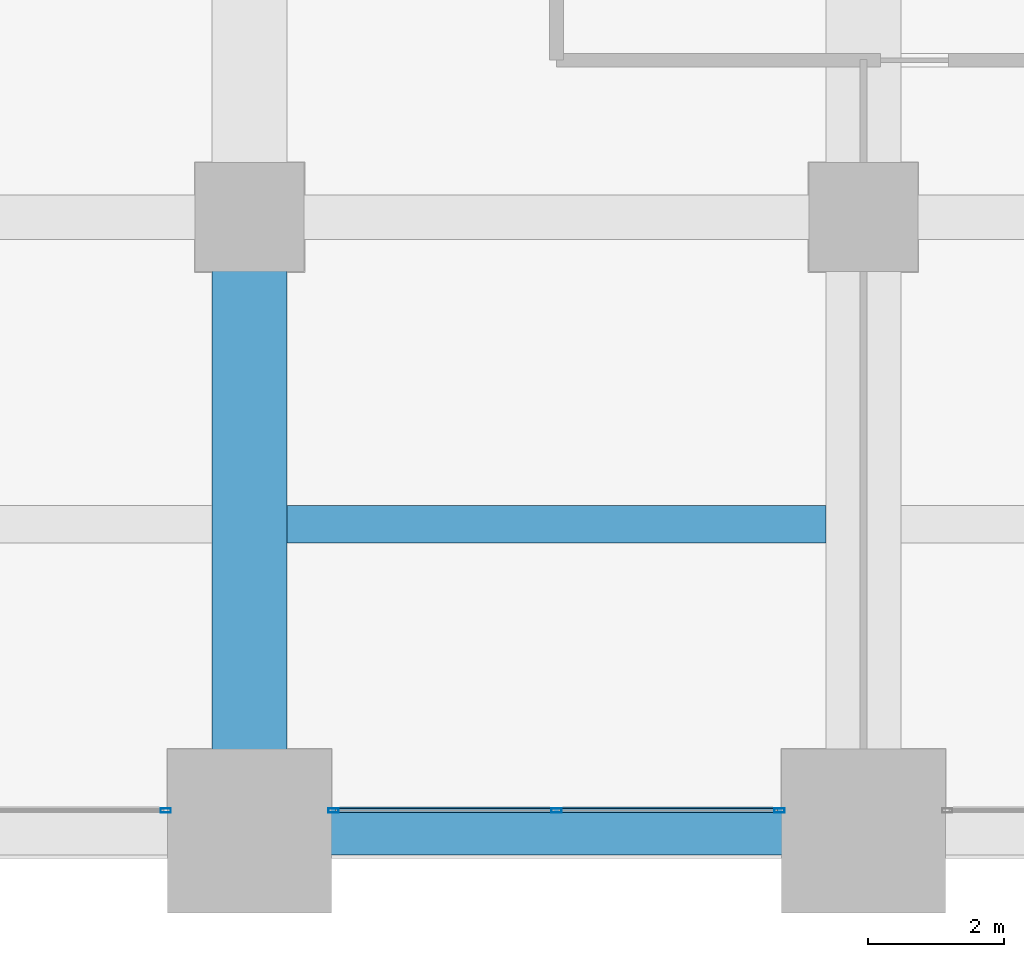
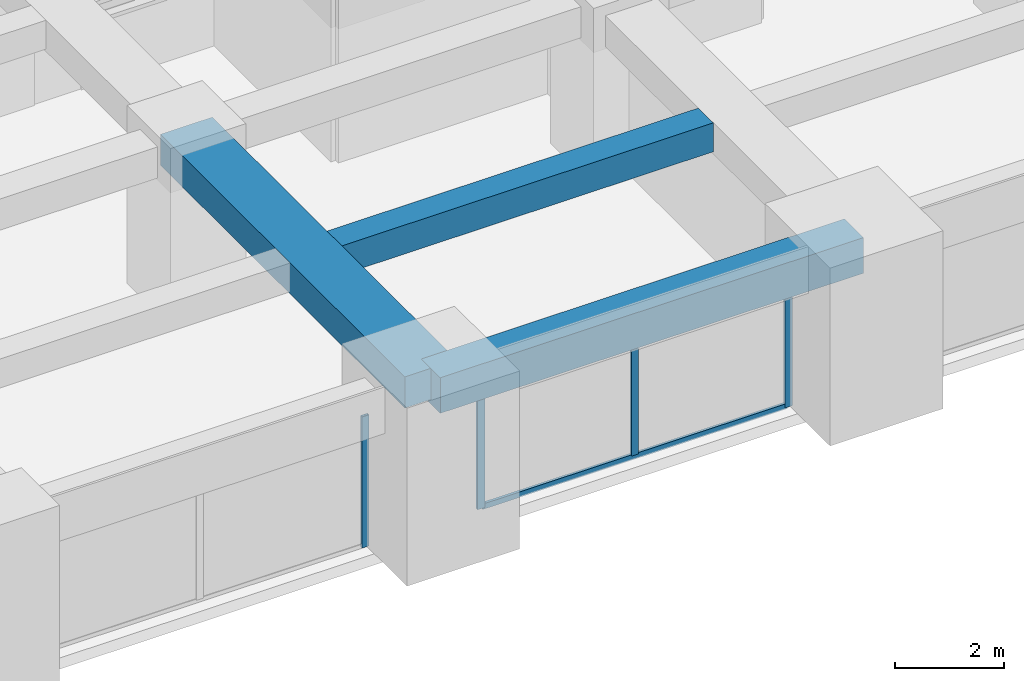
# One storey, part 6 of 32: 5 members, 3 beams, 2 elements without a shape of their own.
"""IFC4 building model written with IfcOpenShell, lengths in metres."""

import ifcopenshell
import ifcopenshell.guid

model = None  # the IFC model being written
_history = None  # IfcOwnerHistory: only IFC2X3 demands one
_inside = {}  # id of a spatial element -> (the spatial element, [elements in it])
_under = {}  # id of a project, library or spatial element -> (it, [spatial elements below it])
_declared = {}  # id of a project -> (the project, [libraries it declares])
_typed = {}  # id of a type object -> (the type object, [elements of that type])
_made_of = {}  # id of a material, layer set ... -> (it, [elements and type objects made of it])


def new_model(schema):
    """Start an empty IFC model of exactly this schema.

    Asked for "IFC4X3", IfcOpenShell would pick the latest addendum, in which some entities
    have other attributes; the version numbers below select the first issue.
    IFC2X3 requires an IfcOwnerHistory on every rooted entity: one is made here for all.
    """
    global model, _history
    if schema == "IFC4X3":
        model = ifcopenshell.file(schema_version=(4, 3, 0, 0))
    else:
        model = ifcopenshell.file(schema=schema)
    _inside.clear()
    _under.clear()
    _declared.clear()
    _typed.clear()
    _made_of.clear()
    _history = None
    if model.schema == "IFC2X3":
        org = make("IfcOrganization", Name="unknown")
        user = make(
            "IfcPersonAndOrganization",
            ThePerson=make("IfcPerson", FamilyName="unknown"),
            TheOrganization=org,
        )
        app = make(
            "IfcApplication",
            ApplicationDeveloper=org,
            Version="unknown",
            ApplicationFullName="unknown",
            ApplicationIdentifier="unknown",
        )
        _history = make(
            "IfcOwnerHistory",
            OwningUser=user,
            OwningApplication=app,
            ChangeAction="ADDED",
            CreationDate=0,
        )
    return model


def make(cls, **values):
    """One entity of the class cls with the attributes given. An attribute that is None is left unset."""
    return model.create_entity(
        cls, **{name: value for name, value in values.items() if value is not None}
    )


def rooted(cls, **values):
    """An entity with a GlobalId (a new one), such as an element, a storey or a relation."""
    return make(cls, GlobalId=ifcopenshell.guid.new(), OwnerHistory=_history, **values)


def si_unit(unit_type, name, prefix=None):
    """IfcSIUnit, for example si_unit("LENGTHUNIT", "METRE", prefix="MILLI")."""
    return make("IfcSIUnit", UnitType=unit_type, Prefix=prefix, Name=name)


def assignment(units):
    """IfcUnitAssignment: the units of a project."""
    return None if units is None else make("IfcUnitAssignment", Units=units)


def point(xyz):
    """IfcCartesianPoint."""
    return None if xyz is None else make("IfcCartesianPoint", Coordinates=xyz)


def direction(xyz):
    """IfcDirection."""
    return None if xyz is None else make("IfcDirection", DirectionRatios=xyz)


def frame(location, z_axis=None, x_axis=None):
    """IfcAxis2Placement3D, a coordinate frame: its origin and axes. An axis left out is left unset."""
    return make(
        "IfcAxis2Placement3D",
        Location=point(location),
        Axis=direction(z_axis),
        RefDirection=direction(x_axis),
    )


def frame_2d(location, x_axis=None):
    """IfcAxis2Placement2D, a coordinate frame in the plane: its origin and x axis."""
    return make(
        "IfcAxis2Placement2D", Location=point(location), RefDirection=direction(x_axis)
    )


def origin():
    """The frame at (0, 0, 0) with its axes left unset."""
    return frame((0.0, 0.0, 0.0))


def origin_2d():
    """The frame at (0, 0) in the plane with its x axis left unset."""
    return frame_2d((0.0, 0.0))


def place(relative_to, where):
    """IfcLocalPlacement: puts the frame where relative to a parent placement (None: the world)."""
    return make(
        "IfcLocalPlacement", PlacementRelTo=relative_to, RelativePlacement=where
    )


def context(
    kind, dimensions, precision=None, world=None, true_north=None, identifier=None
):
    """IfcGeometricRepresentationContext, for example the 3D "Model" context."""
    return make(
        "IfcGeometricRepresentationContext",
        ContextIdentifier=identifier,
        ContextType=kind,
        CoordinateSpaceDimension=dimensions,
        Precision=precision,
        WorldCoordinateSystem=world,
        TrueNorth=true_north,
    )


def subcontext(parent, identifier, kind, view, scale=None):
    """IfcGeometricRepresentationSubContext, for example "Body" below "Model"."""
    return make(
        "IfcGeometricRepresentationSubContext",
        ContextIdentifier=identifier,
        ContextType=kind,
        ParentContext=parent,
        TargetScale=scale,
        TargetView=view,
    )


def project(units=None, contexts=None):
    """IfcProject with its units and contexts."""
    return rooted(
        "IfcProject",
        Name="project",
        RepresentationContexts=contexts,
        UnitsInContext=assignment(units),
    )


def spatial(cls, under=None, at=None, **own):
    """A site, building, storey or space (cls), placed at a placement, below another one or the project."""
    s = rooted(cls, ObjectPlacement=at, **own)
    if under is not None:
        _under.setdefault(under.id(), (under, []))[1].append(s)
    return s


def profile(cls, at=None, kind="AREA", **sizes):
    """A parametric profile (cls). Its sizes go by their IFC names, for example OverallWidth=200.0."""
    return make(cls, ProfileType=kind, Position=at, **sizes)


def rectangle(**sizes):
    """IfcRectangleProfileDef."""
    return profile("IfcRectangleProfileDef", **sizes)


def hollow_rectangle(**sizes):
    """IfcRectangleHollowProfileDef."""
    return profile("IfcRectangleHollowProfileDef", **sizes)


def extrude(swept, where, along, depth):
    """IfcExtrudedAreaSolid: the profile swept, set in the frame where, extruded along a direction by depth."""
    return make(
        "IfcExtrudedAreaSolid",
        SweptArea=swept,
        Position=where,
        ExtrudedDirection=direction(along),
        Depth=depth,
    )


def shape(context_of_items, identifier, shape_type, items):
    """IfcShapeRepresentation: the items that make up one representation, for example the "Body"."""
    return make(
        "IfcShapeRepresentation",
        ContextOfItems=context_of_items,
        RepresentationIdentifier=identifier,
        RepresentationType=shape_type,
        Items=items,
    )


def material(Name=None, Category=None):
    """IfcMaterial."""
    return make("IfcMaterial", Name=Name, Category=Category)


def material_profile(
    of_material, cross_section, Name=None, Category=None, Priority=None
):
    """IfcMaterialProfile: a cross section and its material."""
    return make(
        "IfcMaterialProfile",
        Name=Name,
        Material=of_material,
        Profile=cross_section,
        Priority=Priority,
        Category=Category,
    )


def profile_set(profiles, Name=None, composite=None):
    """IfcMaterialProfileSet."""
    return make(
        "IfcMaterialProfileSet",
        Name=Name,
        MaterialProfiles=profiles,
        CompositeProfile=composite,
    )


def made_of(thing, what):
    """Note that an element or type object is made of a material, layer set ...; save() writes the relation."""
    if what is not None:
        _made_of.setdefault(what.id(), (what, []))[1].append(thing)
    return thing


def type_object(cls, material=None, **own):
    """A type object (cls), such as IfcWallType, which elements share."""
    return made_of(rooted(cls, **own), material)


def element(
    cls,
    number,
    at=None,
    inside=None,
    cuts=None,
    type_object=None,
    material=None,
    context=None,
    identifier="Body",
    shape_type=None,
    held_by="IfcProductDefinitionShape",
    body=None,
    shapes=None,
    **own,
):
    """One element of the class cls, such as IfcWall. Its Tag is "e" and its number.

    at: its placement. inside: the storey or other place that contains it. cuts: it is an
    opening in that element (IfcRelVoidsElement). A single representation is given by context,
    identifier, shape_type and body (its items); several are given by shapes. held_by: the class
    of the entity that holds the representations. save() writes the other relations.
    """
    e = rooted(cls, Tag="e%d" % number, ObjectPlacement=at, **own)
    if body is not None:
        shapes = [shape(context, identifier, shape_type, body)]
    if shapes is not None:
        e.Representation = make(held_by, Representations=shapes)
    if inside is not None:
        _inside.setdefault(inside.id(), (inside, []))[1].append(e)
    if cuts is not None:
        rooted(
            "IfcRelVoidsElement", RelatingBuildingElement=cuts, RelatedOpeningElement=e
        )
    if type_object is not None:
        _typed.setdefault(type_object.id(), (type_object, []))[1].append(e)
    return made_of(e, material)


def aggregate(whole, parts):
    """IfcRelAggregates: a whole, such as a stair, and the parts it consists of."""
    return rooted("IfcRelAggregates", RelatingObject=whole, RelatedObjects=parts)


def save(model, path):
    """Write the relations noted so far, then the file.

    IfcRelAggregates (storeys below a building ...), IfcRelContainedInSpatialStructure (elements
    in a storey), IfcRelDefinesByType, IfcRelAssociatesMaterial and IfcRelDeclares: one each for
    every whole, place, type object, material and project.
    """
    for whole, parts in _under.values():
        aggregate(whole, parts)
    for where, things in _inside.values():
        rooted(
            "IfcRelContainedInSpatialStructure",
            RelatedElements=things,
            RelatingStructure=where,
        )
    for kind, things in _typed.values():
        rooted("IfcRelDefinesByType", RelatedObjects=things, RelatingType=kind)
    for what, things in _made_of.values():
        rooted("IfcRelAssociatesMaterial", RelatedObjects=things, RelatingMaterial=what)
    for by, libraries in _declared.values():
        rooted("IfcRelDeclares", RelatingContext=by, RelatedDefinitions=libraries)
    model.write(path)


model = new_model("IFC4")

# Units and contexts
model_context = context("Model", 3, precision=1e-05, world=origin(), true_north=direction((0.0, 1.0)))
body_context = subcontext(model_context, "Body", "Model", "MODEL_VIEW")
ifc_project = project(units=[si_unit("LENGTHUNIT", "METRE"), si_unit("AREAUNIT", "SQUARE_METRE"), si_unit("VOLUMEUNIT", "CUBIC_METRE"), si_unit("PLANEANGLEUNIT", "RADIAN"), si_unit("MASSUNIT", "GRAM", prefix="KILO")], contexts=[model_context])

# Site, building, storey
site_placement = place(None, origin())
site = spatial("IfcSite", under=ifc_project, at=site_placement, CompositionType="ELEMENT")
building_placement = place(site_placement, origin())
building = spatial("IfcBuilding", under=site, at=building_placement, Name="Zorevar Civic Tower", CompositionType="ELEMENT")
storey_placement = place(building_placement, frame((0.0, 0.0, 186.199951171875)))
storey = spatial("IfcBuildingStorey", under=building, at=storey_placement, Name="L45", CompositionType="ELEMENT", Elevation=186.199951171875)

# Beams
ifc_material_1 = material(Name="Concrete C50/60", Category="concrete")
ifc_material_profile_1 = material_profile(ifc_material_1, rectangle(XDim=1.10009765625, YDim=0.699951171875, at=origin_2d()), Name="RC 1100x700")
ifc_profile_set_1 = profile_set([ifc_material_profile_1], Name="Concrete C50/60")
beam_type_1 = type_object("IfcBeamType", Name="Beam RC 1100x700", PredefinedType="BEAM", material=ifc_profile_set_1)
beam_1_placement = place(storey_placement, frame((18.0, 0.0, 3.400146484375), z_axis=(0.0, 1.0, 0.0), x_axis=(-1.0, 0.0, 0.0)))
element("IfcBeam", 1, at=beam_1_placement, inside=storey, type_object=beam_type_1, Name="Girder L46", PredefinedType="BEAM", context=body_context, shape_type="SweptSolid", body=[
    extrude(rectangle(XDim=1.10009765625, YDim=0.699951171875, at=origin_2d()), origin(), (0.0, 0.0, 1.0), 9.0),
])
ifc_material_2 = material(Name="Concrete C50/60", Category="concrete")
ifc_material_profile_2 = material_profile(ifc_material_2, rectangle(XDim=0.550048828125, YDim=0.64990234375, at=origin_2d()), Name="RC 550x650")
ifc_profile_set_2 = profile_set([ifc_material_profile_2], Name="Concrete C50/60")
beam_type_2 = type_object("IfcBeamType", Name="Beam RC 550x650", PredefinedType="BEAM", material=ifc_profile_set_2)
beam_2_placement = place(storey_placement, frame((18.550048828125, 4.5, 3.425048828125), z_axis=(1.0, 0.0, 0.0), x_axis=(0.0, 1.0, 0.0)))
element("IfcBeam", 2, at=beam_2_placement, inside=storey, type_object=beam_type_2, Name="Secondary beam L46", PredefinedType="BEAM", context=body_context, shape_type="SweptSolid", body=[
    extrude(rectangle(XDim=0.550048828125, YDim=0.64990234375, at=origin_2d()), origin(), (0.0, 0.0, 1.0), 7.89990234375),
])

# Curtain wall, member
ifc_material_3 = material(Name="Dark grey solar-control glass in black aluminium frame", Category="aluminium")
curtain_wall_type = type_object("IfcCurtainWallType", Name="Curtain wall CW4 high zone", PredefinedType="NOTDEFINED", material=ifc_material_3)
curtain_wall_1_placement = place(storey_placement, origin())
curtain_wall_1 = element("IfcCurtainWall", 3, at=curtain_wall_1_placement, inside=storey, type_object=curtain_wall_type, Name="CW4 L45", PredefinedType="NOTDEFINED")
ifc_material_4 = material(Name="Aluminium, black anodised", Category="aluminium")
ifc_material_profile_3 = material_profile(ifc_material_4, hollow_rectangle(XDim=0.06005859375, YDim=0.14990234375, WallThickness=0.00390625, at=origin_2d()), Name="AL 150x60x4")
ifc_profile_set_3 = profile_set([ifc_material_profile_3], Name="Aluminium, black anodised")
member_type_1 = type_object("IfcMemberType", Name="CW4 mullion AL 150x60x4", PredefinedType="MULLION", material=ifc_profile_set_3)
member_1_placement = place(storey_placement, frame((16.77001953125, 0.300048828125, 0.0), z_axis=(0.0, 0.0, 1.0), x_axis=(0.0, 1.0, 0.0)))
member_1 = element("IfcMember", 4, at=member_1_placement, type_object=member_type_1, Name="CW4 mullion 3", PredefinedType="MULLION", context=body_context, shape_type="SweptSolid", body=[
    extrude(hollow_rectangle(XDim=0.06005859375, YDim=0.14990234375, WallThickness=0.00390625, at=origin_2d()), origin(), (0.0, 0.0, 1.0), 2.949951171875),
])
aggregate(curtain_wall_1, [member_1])

# Curtain wall, members
curtain_wall_2_placement = place(storey_placement, origin())
curtain_wall_2 = element("IfcCurtainWall", 5, at=curtain_wall_2_placement, inside=storey, type_object=curtain_wall_type, Name="CW4 L45", PredefinedType="NOTDEFINED")
member_2_placement = place(storey_placement, frame((19.22998046875, 0.300048828125, 0.0), z_axis=(0.0, 0.0, 1.0), x_axis=(0.0, 1.0, 0.0)))
member_2 = element("IfcMember", 6, at=member_2_placement, type_object=member_type_1, Name="CW4 mullion 1", PredefinedType="MULLION", context=body_context, shape_type="SweptSolid", body=[
    extrude(hollow_rectangle(XDim=0.06005859375, YDim=0.14990234375, WallThickness=0.00390625, at=origin_2d()), origin(), (0.0, 0.0, 1.0), 2.949951171875),
])
member_3_placement = place(storey_placement, frame((22.5, 0.300048828125, 0.06005859375), z_axis=(0.0, 0.0, 1.0), x_axis=(0.0, 1.0, 0.0)))
member_3 = element("IfcMember", 7, at=member_3_placement, type_object=member_type_1, Name="CW4 mullion 2", PredefinedType="MULLION", context=body_context, shape_type="SweptSolid", body=[
    extrude(hollow_rectangle(XDim=0.06005859375, YDim=0.14990234375, WallThickness=0.00390625, at=origin_2d()), origin(), (0.0, 0.0, 1.0), 2.889892578125),
])
member_4_placement = place(storey_placement, frame((25.77001953125, 0.300048828125, 0.0), z_axis=(0.0, 0.0, 1.0), x_axis=(0.0, 1.0, 0.0)))
member_4 = element("IfcMember", 8, at=member_4_placement, type_object=member_type_1, Name="CW4 mullion 3", PredefinedType="MULLION", context=body_context, shape_type="SweptSolid", body=[
    extrude(hollow_rectangle(XDim=0.06005859375, YDim=0.14990234375, WallThickness=0.00390625, at=origin_2d()), origin(), (0.0, 0.0, 1.0), 2.949951171875),
])
ifc_material_5 = material(Name="Aluminium, black anodised", Category="aluminium")
ifc_material_profile_4 = material_profile(ifc_material_5, hollow_rectangle(XDim=0.06005859375, YDim=0.1201171875, WallThickness=0.0029296875, at=origin_2d()), Name="AL 120x60x3")
ifc_profile_set_4 = profile_set([ifc_material_profile_4], Name="Aluminium, black anodised")
member_type_2 = type_object("IfcMemberType", Name="CW4 transom AL 120x60x3", PredefinedType="USERDEFINED", material=ifc_profile_set_4)
member_5_placement = place(storey_placement, frame((19.260009765625, 0.300048828125, 0.030029296875), z_axis=(1.0, 0.0, 0.0), x_axis=(0.0, 1.0, 0.0)))
member_5 = element("IfcMember", 9, at=member_5_placement, type_object=member_type_2, Name="CW4 sill transom", ObjectType="TRANSOM", PredefinedType="USERDEFINED", context=body_context, shape_type="SweptSolid", body=[
    extrude(hollow_rectangle(XDim=0.06005859375, YDim=0.1201171875, WallThickness=0.0029296875, at=origin_2d()), origin(), (0.0, 0.0, 1.0), 6.47998046875),
])
aggregate(curtain_wall_2, [member_2, member_3, member_4, member_5])

# Beam
ifc_material_6 = material(Name="Concrete C50/60", Category="concrete")
ifc_material_profile_5 = material_profile(ifc_material_6, rectangle(XDim=0.699951171875, YDim=0.800048828125, at=origin_2d()), Name="RC 700x800")
ifc_profile_set_5 = profile_set([ifc_material_profile_5], Name="Concrete C50/60")
beam_type_3 = type_object("IfcBeamType", Name="Edge beam RC 700x800", PredefinedType="SPANDREL", material=ifc_profile_set_5)
beam_3_placement = place(storey_placement, frame((18.0, 0.0, 3.35009765625), z_axis=(1.0, 0.0, 0.0), x_axis=(0.0, 1.0, 0.0)))
element("IfcBeam", 10, at=beam_3_placement, inside=storey, type_object=beam_type_3, Name="Edge beam L46", PredefinedType="SPANDREL", context=body_context, shape_type="SweptSolid", body=[
    extrude(rectangle(XDim=0.699951171875, YDim=0.800048828125, at=origin_2d()), origin(), (0.0, 0.0, 1.0), 9.0),
])

save(model, "model.ifc")
